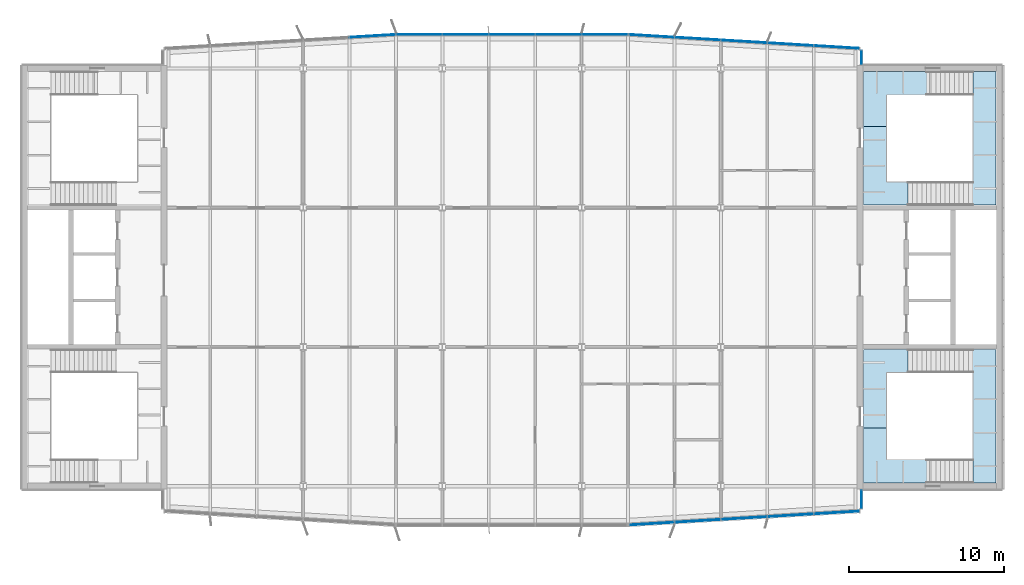
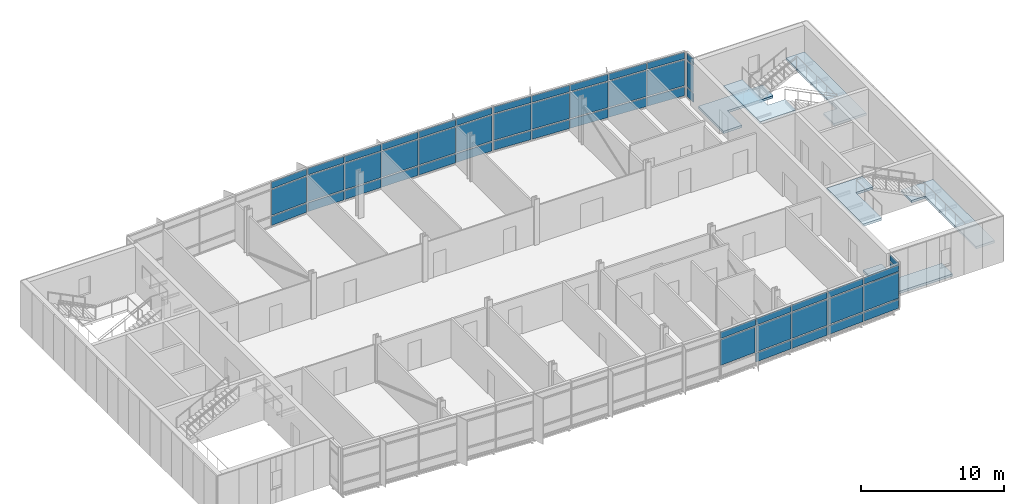
# One storey, part 10 of 17: 53 plates, 6 slabs, 8 elements without a shape of their own.
"""IFC4 building model written with IfcOpenShell, lengths in metres."""

import ifcopenshell
import ifcopenshell.guid

model = None  # the IFC model being written
_history = None  # IfcOwnerHistory: only IFC2X3 demands one
_inside = {}  # id of a spatial element -> (the spatial element, [elements in it])
_under = {}  # id of a project, library or spatial element -> (it, [spatial elements below it])
_declared = {}  # id of a project -> (the project, [libraries it declares])
_typed = {}  # id of a type object -> (the type object, [elements of that type])
_made_of = {}  # id of a material, layer set ... -> (it, [elements and type objects made of it])


def new_model(schema):
    """Start an empty IFC model of exactly this schema.

    Asked for "IFC4X3", IfcOpenShell would pick the latest addendum, in which some entities
    have other attributes; the version numbers below select the first issue.
    IFC2X3 requires an IfcOwnerHistory on every rooted entity: one is made here for all.
    """
    global model, _history
    if schema == "IFC4X3":
        model = ifcopenshell.file(schema_version=(4, 3, 0, 0))
    else:
        model = ifcopenshell.file(schema=schema)
    _inside.clear()
    _under.clear()
    _declared.clear()
    _typed.clear()
    _made_of.clear()
    _history = None
    if model.schema == "IFC2X3":
        org = make("IfcOrganization", Name="unknown")
        user = make(
            "IfcPersonAndOrganization",
            ThePerson=make("IfcPerson", FamilyName="unknown"),
            TheOrganization=org,
        )
        app = make(
            "IfcApplication",
            ApplicationDeveloper=org,
            Version="unknown",
            ApplicationFullName="unknown",
            ApplicationIdentifier="unknown",
        )
        _history = make(
            "IfcOwnerHistory",
            OwningUser=user,
            OwningApplication=app,
            ChangeAction="ADDED",
            CreationDate=0,
        )
    return model


def make(cls, **values):
    """One entity of the class cls with the attributes given. An attribute that is None is left unset."""
    return model.create_entity(
        cls, **{name: value for name, value in values.items() if value is not None}
    )


def rooted(cls, **values):
    """An entity with a GlobalId (a new one), such as an element, a storey or a relation."""
    return make(cls, GlobalId=ifcopenshell.guid.new(), OwnerHistory=_history, **values)


def si_unit(unit_type, name, prefix=None):
    """IfcSIUnit, for example si_unit("LENGTHUNIT", "METRE", prefix="MILLI")."""
    return make("IfcSIUnit", UnitType=unit_type, Prefix=prefix, Name=name)


def assignment(units):
    """IfcUnitAssignment: the units of a project."""
    return None if units is None else make("IfcUnitAssignment", Units=units)


def point(xyz):
    """IfcCartesianPoint."""
    return None if xyz is None else make("IfcCartesianPoint", Coordinates=xyz)


def direction(xyz):
    """IfcDirection."""
    return None if xyz is None else make("IfcDirection", DirectionRatios=xyz)


def frame(location, z_axis=None, x_axis=None):
    """IfcAxis2Placement3D, a coordinate frame: its origin and axes. An axis left out is left unset."""
    return make(
        "IfcAxis2Placement3D",
        Location=point(location),
        Axis=direction(z_axis),
        RefDirection=direction(x_axis),
    )


def frame_2d(location, x_axis=None):
    """IfcAxis2Placement2D, a coordinate frame in the plane: its origin and x axis."""
    return make(
        "IfcAxis2Placement2D", Location=point(location), RefDirection=direction(x_axis)
    )


def origin():
    """The frame at (0, 0, 0) with its axes left unset."""
    return frame((0.0, 0.0, 0.0))


def origin_2d():
    """The frame at (0, 0) in the plane with its x axis left unset."""
    return frame_2d((0.0, 0.0))


def place(relative_to, where):
    """IfcLocalPlacement: puts the frame where relative to a parent placement (None: the world)."""
    return make(
        "IfcLocalPlacement", PlacementRelTo=relative_to, RelativePlacement=where
    )


def context(
    kind, dimensions, precision=None, world=None, true_north=None, identifier=None
):
    """IfcGeometricRepresentationContext, for example the 3D "Model" context."""
    return make(
        "IfcGeometricRepresentationContext",
        ContextIdentifier=identifier,
        ContextType=kind,
        CoordinateSpaceDimension=dimensions,
        Precision=precision,
        WorldCoordinateSystem=world,
        TrueNorth=true_north,
    )


def subcontext(parent, identifier, kind, view, scale=None):
    """IfcGeometricRepresentationSubContext, for example "Body" below "Model"."""
    return make(
        "IfcGeometricRepresentationSubContext",
        ContextIdentifier=identifier,
        ContextType=kind,
        ParentContext=parent,
        TargetScale=scale,
        TargetView=view,
    )


def project(units=None, contexts=None):
    """IfcProject with its units and contexts."""
    return rooted(
        "IfcProject",
        Name="project",
        RepresentationContexts=contexts,
        UnitsInContext=assignment(units),
    )


def spatial(cls, under=None, at=None, **own):
    """A site, building, storey or space (cls), placed at a placement, below another one or the project."""
    s = rooted(cls, ObjectPlacement=at, **own)
    if under is not None:
        _under.setdefault(under.id(), (under, []))[1].append(s)
    return s


def polyline(points):
    """IfcPolyline through the points."""
    return make("IfcPolyline", Points=[point(p) for p in points])


def profile(cls, at=None, kind="AREA", **sizes):
    """A parametric profile (cls). Its sizes go by their IFC names, for example OverallWidth=200.0."""
    return make(cls, ProfileType=kind, Position=at, **sizes)


def rectangle(**sizes):
    """IfcRectangleProfileDef."""
    return profile("IfcRectangleProfileDef", **sizes)


def outline(outer, holes=None, kind="AREA"):
    """IfcArbitraryClosedProfileDef: a profile drawn as a closed curve; with holes, ...WithVoids."""
    if holes is None:
        return make("IfcArbitraryClosedProfileDef", ProfileType=kind, OuterCurve=outer)
    return make(
        "IfcArbitraryProfileDefWithVoids",
        ProfileType=kind,
        OuterCurve=outer,
        InnerCurves=holes,
    )


def extrude(swept, where, along, depth):
    """IfcExtrudedAreaSolid: the profile swept, set in the frame where, extruded along a direction by depth."""
    return make(
        "IfcExtrudedAreaSolid",
        SweptArea=swept,
        Position=where,
        ExtrudedDirection=direction(along),
        Depth=depth,
    )


def shape(context_of_items, identifier, shape_type, items):
    """IfcShapeRepresentation: the items that make up one representation, for example the "Body"."""
    return make(
        "IfcShapeRepresentation",
        ContextOfItems=context_of_items,
        RepresentationIdentifier=identifier,
        RepresentationType=shape_type,
        Items=items,
    )


def material(Name=None, Category=None):
    """IfcMaterial."""
    return make("IfcMaterial", Name=Name, Category=Category)


def layer(
    of_material, thickness, ventilated=None, Name=None, Category=None, Priority=None
):
    """IfcMaterialLayer: one layer of a wall or slab, of a material (None: an air gap)."""
    return make(
        "IfcMaterialLayer",
        Material=of_material,
        LayerThickness=thickness,
        IsVentilated=ventilated,
        Name=Name,
        Category=Category,
        Priority=Priority,
    )


def layer_set(layers, Name=None):
    """IfcMaterialLayerSet."""
    return make("IfcMaterialLayerSet", MaterialLayers=layers, LayerSetName=Name)


def made_of(thing, what):
    """Note that an element or type object is made of a material, layer set ...; save() writes the relation."""
    if what is not None:
        _made_of.setdefault(what.id(), (what, []))[1].append(thing)
    return thing


def type_object(cls, material=None, **own):
    """A type object (cls), such as IfcWallType, which elements share."""
    return made_of(rooted(cls, **own), material)


def element(
    cls,
    number,
    at=None,
    inside=None,
    cuts=None,
    type_object=None,
    material=None,
    context=None,
    identifier="Body",
    shape_type=None,
    held_by="IfcProductDefinitionShape",
    body=None,
    shapes=None,
    **own,
):
    """One element of the class cls, such as IfcWall. Its Tag is "e" and its number.

    at: its placement. inside: the storey or other place that contains it. cuts: it is an
    opening in that element (IfcRelVoidsElement). A single representation is given by context,
    identifier, shape_type and body (its items); several are given by shapes. held_by: the class
    of the entity that holds the representations. save() writes the other relations.
    """
    e = rooted(cls, Tag="e%d" % number, ObjectPlacement=at, **own)
    if body is not None:
        shapes = [shape(context, identifier, shape_type, body)]
    if shapes is not None:
        e.Representation = make(held_by, Representations=shapes)
    if inside is not None:
        _inside.setdefault(inside.id(), (inside, []))[1].append(e)
    if cuts is not None:
        rooted(
            "IfcRelVoidsElement", RelatingBuildingElement=cuts, RelatedOpeningElement=e
        )
    if type_object is not None:
        _typed.setdefault(type_object.id(), (type_object, []))[1].append(e)
    return made_of(e, material)


def aggregate(whole, parts):
    """IfcRelAggregates: a whole, such as a stair, and the parts it consists of."""
    return rooted("IfcRelAggregates", RelatingObject=whole, RelatedObjects=parts)


def save(model, path):
    """Write the relations noted so far, then the file.

    IfcRelAggregates (storeys below a building ...), IfcRelContainedInSpatialStructure (elements
    in a storey), IfcRelDefinesByType, IfcRelAssociatesMaterial and IfcRelDeclares: one each for
    every whole, place, type object, material and project.
    """
    for whole, parts in _under.values():
        aggregate(whole, parts)
    for where, things in _inside.values():
        rooted(
            "IfcRelContainedInSpatialStructure",
            RelatedElements=things,
            RelatingStructure=where,
        )
    for kind, things in _typed.values():
        rooted("IfcRelDefinesByType", RelatedObjects=things, RelatingType=kind)
    for what, things in _made_of.values():
        rooted("IfcRelAssociatesMaterial", RelatedObjects=things, RelatingMaterial=what)
    for by, libraries in _declared.values():
        rooted("IfcRelDeclares", RelatingContext=by, RelatedDefinitions=libraries)
    model.write(path)


model = new_model("IFC4")

# Units and contexts
model_context = context("Model", 3, precision=1e-05, world=origin(), true_north=direction((0.0, 1.0)))
body_context = subcontext(model_context, "Body", "Model", "MODEL_VIEW")
ifc_project = project(units=[si_unit("LENGTHUNIT", "METRE"), si_unit("AREAUNIT", "SQUARE_METRE"), si_unit("VOLUMEUNIT", "CUBIC_METRE"), si_unit("PLANEANGLEUNIT", "RADIAN"), si_unit("MASSUNIT", "GRAM", prefix="KILO")], contexts=[model_context])

# Site, building, storey
site_placement = place(None, origin())
site = spatial("IfcSite", under=ifc_project, at=site_placement, CompositionType="ELEMENT")
building_placement = place(site_placement, origin())
building = spatial("IfcBuilding", under=site, at=building_placement, Name="Azimuth Sports and Learning Centre", CompositionType="ELEMENT")
storey_placement = place(building_placement, frame((0.0, 0.0, 36.300048828125)))
storey = spatial("IfcBuildingStorey", under=building, at=storey_placement, Name="L07", CompositionType="ELEMENT", Elevation=36.300048828125)

# Stair, slabs
ifc_material_1 = material(Name="Concrete C32/40", Category="concrete")
stair_type = type_object("IfcStairType", Name="Square-well stair core 3900 storey", PredefinedType="THREE_QUARTER_TURN_STAIR", material=ifc_material_1)
stair_1_placement = place(storey_placement, origin())
stair_1 = element("IfcStair", 1, at=stair_1_placement, inside=storey, type_object=stair_type, Name="Stair E1 L07-L08", PredefinedType="THREE_QUARTER_TURN_STAIR")
ifc_material_2 = material(Name="Concrete C32/40", Category="concrete")
ifc_layer_1 = layer(ifc_material_2, 0.199951171875)
ifc_layer_set_1 = layer_set([ifc_layer_1], Name="Concrete C32/40")
slab_type = type_object("IfcSlabType", Name="Concrete stair landing", PredefinedType="LANDING", material=ifc_layer_set_1)
slab_1_placement = place(storey_placement, frame((0.0, 0.0, -0.199951171875)))
slab_1 = element("IfcSlab", 2, at=slab_1_placement, type_object=slab_type, Name="Stair E1 L07 landing 1", PredefinedType="LANDING", context=body_context, shape_type="SweptSolid", body=[
    extrude(outline(polyline([(113.389892578125, 91.7099609375), (109.7099609375, 91.7099609375), (109.7099609375, 93.75), (108.2099609375, 93.75), (108.2099609375, 90.2099609375), (113.389892578125, 90.2099609375), (113.389892578125, 91.7099609375)])), origin(), (0.0, 0.0, 1.0), 0.199951171875),
])
slab_2_placement = place(storey_placement, frame((0.0, 0.0, 1.449951171875)))
slab_2 = element("IfcSlab", 3, at=slab_2_placement, type_object=slab_type, Name="Stair E1 L07 landing 2", PredefinedType="LANDING", context=body_context, shape_type="SweptSolid", body=[
    extrude(outline(polyline([(115.2900390625, 91.7099609375), (115.289306640625, 91.7099609375), (115.289306640625, 90.2099609375), (116.7900390625, 90.2099609375), (116.7900390625, 98.840087890625), (114.18994140625, 98.840087890625), (114.18994140625, 97.340087890625), (115.2900390625, 97.340087890625), (115.2900390625, 91.7099609375)])), origin(), (0.0, 0.0, 1.0), 0.199951171875),
])
slab_3_placement = place(storey_placement, frame((0.0, 0.0, 3.699951171875)))
slab_3 = element("IfcSlab", 4, at=slab_3_placement, type_object=slab_type, Name="Stair E1 L07 landing 3", PredefinedType="LANDING", context=body_context, shape_type="SweptSolid", body=[
    extrude(outline(polyline([(109.7099609375, 97.340087890625), (111.0908203125, 97.340087890625), (111.0908203125, 98.840087890625), (108.2099609375, 98.840087890625), (108.2099609375, 93.75), (109.7099609375, 93.75), (109.7099609375, 97.340087890625)])), origin(), (0.0, 0.0, 1.0), 0.199951171875),
])
aggregate(stair_1, [slab_1, slab_2, slab_3])

stair_2_placement = place(storey_placement, origin())
stair_2 = element("IfcStair", 5, at=stair_2_placement, inside=storey, type_object=stair_type, Name="Stair E2 L07-L08", PredefinedType="THREE_QUARTER_TURN_STAIR")
slab_4_placement = place(storey_placement, frame((0.0, 0.0, -0.199951171875)))
slab_4 = element("IfcSlab", 6, at=slab_4_placement, type_object=slab_type, Name="Stair E2 L07 landing 1", PredefinedType="LANDING", context=body_context, shape_type="SweptSolid", body=[
    extrude(outline(polyline([(108.2099609375, 116.7900390625), (108.2099609375, 113.25), (109.7099609375, 113.25), (109.7099609375, 115.2900390625), (113.389892578125, 115.2900390625), (113.389892578125, 116.7900390625), (108.2099609375, 116.7900390625)])), origin(), (0.0, 0.0, 1.0), 0.199951171875),
])
slab_5_placement = place(storey_placement, frame((0.0, 0.0, 1.449951171875)))
slab_5 = element("IfcSlab", 7, at=slab_5_placement, type_object=slab_type, Name="Stair E2 L07 landing 2", PredefinedType="LANDING", context=body_context, shape_type="SweptSolid", body=[
    extrude(outline(polyline([(115.2900390625, 115.2900390625), (115.2900390625, 109.659912109375), (114.18994140625, 109.659912109375), (114.18994140625, 108.159912109375), (116.7900390625, 108.159912109375), (116.7900390625, 116.7900390625), (115.289306640625, 116.7900390625), (115.289306640625, 115.2900390625), (115.2900390625, 115.2900390625)])), origin(), (0.0, 0.0, 1.0), 0.199951171875),
])
slab_6_placement = place(storey_placement, frame((0.0, 0.0, 3.699951171875)))
slab_6 = element("IfcSlab", 8, at=slab_6_placement, type_object=slab_type, Name="Stair E2 L07 landing 3", PredefinedType="LANDING", context=body_context, shape_type="SweptSolid", body=[
    extrude(outline(polyline([(109.7099609375, 109.659912109375), (109.7099609375, 113.25), (108.2099609375, 113.25), (108.2099609375, 108.159912109375), (111.0908203125, 108.159912109375), (111.0908203125, 109.659912109375), (109.7099609375, 109.659912109375)])), origin(), (0.0, 0.0, 1.0), 0.199951171875),
])
aggregate(stair_2, [slab_4, slab_5, slab_6])

# Curtain wall, plates
ifc_material_3 = material(Name="Aluminium and glass", Category="aluminium")
curtain_wall_type_1 = type_object("IfcCurtainWallType", Name="Curtain wall tower south 240", PredefinedType="NOTDEFINED", material=ifc_material_3)
curtain_wall_1_placement = place(storey_placement, origin())
curtain_wall_1 = element("IfcCurtainWall", 9, at=curtain_wall_1_placement, inside=storey, type_object=curtain_wall_type_1, Name="Curtain wall CW07-004", PredefinedType="NOTDEFINED")
ifc_material_4 = material(Name="Insulated aluminium panel", Category="aluminium")
ifc_layer_2 = layer(ifc_material_4, 0.050048828125)
ifc_layer_set_2 = layer_set([ifc_layer_2], Name="Insulated aluminium panel")
plate_type_1 = type_object("IfcPlateType", Name="Spandrel panel 50 mm", PredefinedType="CURTAIN_PANEL", material=ifc_layer_set_2)
plate_1_placement = place(storey_placement, frame((94.52099609375, 87.571044921875, 3.25), z_axis=(0.0, 0.0, 1.0), x_axis=(0.998204863401, 0.059891991812, 0.0)))
plate_1 = element("IfcPlate", 10, at=plate_1_placement, type_object=plate_type_1, Name="CW07-004 panel 1.3", PredefinedType="CURTAIN_PANEL", context=body_context, shape_type="SweptSolid", body=[
    extrude(rectangle(XDim=2.90771484375, YDim=0.050048828125, at=origin_2d()), origin(), (0.0, 0.0, 1.0), 0.550048828125),
])
plate_2_placement = place(storey_placement, frame((97.507080078125, 87.750244140625, 0.099853515625), z_axis=(0.0, 0.0, 1.0), x_axis=(0.998204863401, 0.059891991812, 0.0)))
plate_2 = element("IfcPlate", 11, at=plate_2_placement, type_object=plate_type_1, Name="CW07-004 panel 2.1", PredefinedType="CURTAIN_PANEL", context=body_context, shape_type="SweptSolid", body=[
    extrude(rectangle(XDim=2.935302734375, YDim=0.050048828125, at=origin_2d()), origin(), (0.0, 0.0, 1.0), 0.75),
])
plate_3_placement = place(storey_placement, frame((97.507080078125, 87.750244140625, 3.25), z_axis=(0.0, 0.0, 1.0), x_axis=(0.998204863401, 0.059891991812, 0.0)))
plate_3 = element("IfcPlate", 12, at=plate_3_placement, type_object=plate_type_1, Name="CW07-004 panel 2.3", PredefinedType="CURTAIN_PANEL", context=body_context, shape_type="SweptSolid", body=[
    extrude(rectangle(XDim=2.935302734375, YDim=0.050048828125, at=origin_2d()), origin(), (0.0, 0.0, 1.0), 0.550048828125),
])
plate_4_placement = place(storey_placement, frame((100.507080078125, 87.93017578125, 0.099853515625), z_axis=(0.0, 0.0, 1.0), x_axis=(0.998204863401, 0.059891991812, 0.0)))
plate_4 = element("IfcPlate", 13, at=plate_4_placement, type_object=plate_type_1, Name="CW07-004 panel 3.1", PredefinedType="CURTAIN_PANEL", context=body_context, shape_type="SweptSolid", body=[
    extrude(rectangle(XDim=2.935302734375, YDim=0.050048828125, at=origin_2d()), origin(), (0.0, 0.0, 1.0), 0.75),
])
plate_5_placement = place(storey_placement, frame((100.507080078125, 87.93017578125, 3.25), z_axis=(0.0, 0.0, 1.0), x_axis=(0.998204863401, 0.059891991812, 0.0)))
plate_5 = element("IfcPlate", 14, at=plate_5_placement, type_object=plate_type_1, Name="CW07-004 panel 3.3", PredefinedType="CURTAIN_PANEL", context=body_context, shape_type="SweptSolid", body=[
    extrude(rectangle(XDim=2.935302734375, YDim=0.050048828125, at=origin_2d()), origin(), (0.0, 0.0, 1.0), 0.550048828125),
])
plate_6_placement = place(storey_placement, frame((103.507080078125, 88.110107421875, 0.099853515625), z_axis=(0.0, 0.0, 1.0), x_axis=(0.998204863401, 0.059891991812, 0.0)))
plate_6 = element("IfcPlate", 15, at=plate_6_placement, type_object=plate_type_1, Name="CW07-004 panel 4.1", PredefinedType="CURTAIN_PANEL", context=body_context, shape_type="SweptSolid", body=[
    extrude(rectangle(XDim=2.935302734375, YDim=0.050048828125, at=origin_2d()), origin(), (0.0, 0.0, 1.0), 0.75),
])
plate_7_placement = place(storey_placement, frame((103.507080078125, 88.110107421875, 3.25), z_axis=(0.0, 0.0, 1.0), x_axis=(0.998204863401, 0.059891991812, 0.0)))
plate_7 = element("IfcPlate", 16, at=plate_7_placement, type_object=plate_type_1, Name="CW07-004 panel 4.3", PredefinedType="CURTAIN_PANEL", context=body_context, shape_type="SweptSolid", body=[
    extrude(rectangle(XDim=2.935302734375, YDim=0.050048828125, at=origin_2d()), origin(), (0.0, 0.0, 1.0), 0.550048828125),
])
plate_8_placement = place(storey_placement, frame((106.48974609375, 88.2890625, 0.099853515625), z_axis=(0.0, 0.0, 1.0), x_axis=(0.998204863401, 0.059891991812, 0.0)))
plate_8 = element("IfcPlate", 17, at=plate_8_placement, type_object=plate_type_1, Name="CW07-004 panel 5.1", PredefinedType="CURTAIN_PANEL", context=body_context, shape_type="SweptSolid", body=[
    extrude(rectangle(XDim=2.900390625, YDim=0.050048828125, at=origin_2d()), origin(), (0.0, 0.0, 1.0), 0.75),
])
plate_9_placement = place(storey_placement, frame((106.48974609375, 88.2890625, 3.25), z_axis=(0.0, 0.0, 1.0), x_axis=(0.998204863401, 0.059891991812, 0.0)))
plate_9 = element("IfcPlate", 18, at=plate_9_placement, type_object=plate_type_1, Name="CW07-004 panel 5.3", PredefinedType="CURTAIN_PANEL", context=body_context, shape_type="SweptSolid", body=[
    extrude(rectangle(XDim=2.900390625, YDim=0.050048828125, at=origin_2d()), origin(), (0.0, 0.0, 1.0), 0.550048828125),
])

ifc_material_5 = material(Name="Aluminium and glass", Category="aluminium")
curtain_wall_type_2 = type_object("IfcCurtainWallType", Name="Curtain wall tower return 180", PredefinedType="NOTDEFINED", material=ifc_material_5)
curtain_wall_2_placement = place(storey_placement, origin())
curtain_wall_2 = element("IfcCurtainWall", 19, at=curtain_wall_2_placement, inside=storey, type_object=curtain_wall_type_2, Name="Curtain wall CW07-005", PredefinedType="NOTDEFINED")
plate_10_placement = place(storey_placement, frame((108.090087890625, 89.14990234375, 0.099853515625), z_axis=(0.0, 0.0, 1.0), x_axis=(0.0, 1.0, 0.0)))
plate_10 = element("IfcPlate", 20, at=plate_10_placement, type_object=plate_type_1, Name="CW07-005 panel 1.1", PredefinedType="CURTAIN_PANEL", context=body_context, shape_type="SweptSolid", body=[
    extrude(rectangle(XDim=1.179931640625, YDim=0.050048828125, at=origin_2d()), origin(), (0.0, 0.0, 1.0), 0.75),
])
plate_11_placement = place(storey_placement, frame((108.090087890625, 89.14990234375, 3.25), z_axis=(0.0, 0.0, 1.0), x_axis=(0.0, 1.0, 0.0)))
plate_11 = element("IfcPlate", 21, at=plate_11_placement, type_object=plate_type_1, Name="CW07-005 panel 1.3", PredefinedType="CURTAIN_PANEL", context=body_context, shape_type="SweptSolid", body=[
    extrude(rectangle(XDim=1.179931640625, YDim=0.050048828125, at=origin_2d()), origin(), (0.0, 0.0, 1.0), 0.550048828125),
])

curtain_wall_3_placement = place(storey_placement, origin())
curtain_wall_3 = element("IfcCurtainWall", 22, at=curtain_wall_3_placement, inside=storey, type_object=curtain_wall_type_2, Name="Curtain wall CW07-006", PredefinedType="NOTDEFINED")
plate_12_placement = place(storey_placement, frame((108.090087890625, 117.699951171875, 0.099853515625), z_axis=(0.0, 0.0, 1.0), x_axis=(0.0, 1.0, 0.0)))
plate_12 = element("IfcPlate", 23, at=plate_12_placement, type_object=plate_type_1, Name="CW07-006 panel 1.1", PredefinedType="CURTAIN_PANEL", context=body_context, shape_type="SweptSolid", body=[
    extrude(rectangle(XDim=0.8798828125, YDim=0.050048828125, at=origin_2d()), origin(), (0.0, 0.0, 1.0), 0.75),
])
plate_13_placement = place(storey_placement, frame((108.090087890625, 117.699951171875, 3.25), z_axis=(0.0, 0.0, 1.0), x_axis=(0.0, 1.0, 0.0)))
plate_13 = element("IfcPlate", 24, at=plate_13_placement, type_object=plate_type_1, Name="CW07-006 panel 1.3", PredefinedType="CURTAIN_PANEL", context=body_context, shape_type="SweptSolid", body=[
    extrude(rectangle(XDim=0.8798828125, YDim=0.050048828125, at=origin_2d()), origin(), (0.0, 0.0, 1.0), 0.550048828125),
])

ifc_material_6 = material(Name="Aluminium and glass", Category="aluminium")
curtain_wall_type_3 = type_object("IfcCurtainWallType", Name="Curtain wall tower north 180", PredefinedType="NOTDEFINED", material=ifc_material_6)
curtain_wall_4_placement = place(storey_placement, origin())
curtain_wall_4 = element("IfcCurtainWall", 25, at=curtain_wall_4_placement, inside=storey, type_object=curtain_wall_type_3, Name="Curtain wall CW07-007", PredefinedType="NOTDEFINED")
plate_14_placement = place(storey_placement, frame((106.490478515625, 118.380615234375, 0.099853515625), z_axis=(0.0, 0.0, 1.0), x_axis=(-0.998204863401, 0.059891991812, 0.0)))
plate_14 = element("IfcPlate", 26, at=plate_14_placement, type_object=plate_type_1, Name="CW07-007 panel 1.1", PredefinedType="CURTAIN_PANEL", context=body_context, shape_type="SweptSolid", body=[
    extrude(rectangle(XDim=2.915283203125, YDim=0.050048828125, at=origin_2d()), origin(), (0.0, 0.0, 1.0), 0.75),
])
plate_15_placement = place(storey_placement, frame((106.490478515625, 118.380615234375, 3.25), z_axis=(0.0, 0.0, 1.0), x_axis=(-0.998204863401, 0.059891991812, 0.0)))
plate_15 = element("IfcPlate", 27, at=plate_15_placement, type_object=plate_type_1, Name="CW07-007 panel 1.3", PredefinedType="CURTAIN_PANEL", context=body_context, shape_type="SweptSolid", body=[
    extrude(rectangle(XDim=2.915283203125, YDim=0.050048828125, at=origin_2d()), origin(), (0.0, 0.0, 1.0), 0.550048828125),
])
plate_16_placement = place(storey_placement, frame((103.50537109375, 118.559814453125, 0.099853515625), z_axis=(0.0, 0.0, 1.0), x_axis=(-0.998204863401, 0.059891991812, 0.0)))
plate_16 = element("IfcPlate", 28, at=plate_16_placement, type_object=plate_type_1, Name="CW07-007 panel 2.1", PredefinedType="CURTAIN_PANEL", context=body_context, shape_type="SweptSolid", body=[
    extrude(rectangle(XDim=2.9453125, YDim=0.050048828125, at=origin_2d()), origin(), (0.0, 0.0, 1.0), 0.75),
])
plate_17_placement = place(storey_placement, frame((103.50537109375, 118.559814453125, 3.25), z_axis=(0.0, 0.0, 1.0), x_axis=(-0.998204863401, 0.059891991812, 0.0)))
plate_17 = element("IfcPlate", 29, at=plate_17_placement, type_object=plate_type_1, Name="CW07-007 panel 2.3", PredefinedType="CURTAIN_PANEL", context=body_context, shape_type="SweptSolid", body=[
    extrude(rectangle(XDim=2.9453125, YDim=0.050048828125, at=origin_2d()), origin(), (0.0, 0.0, 1.0), 0.550048828125),
])
plate_18_placement = place(storey_placement, frame((100.50537109375, 118.73974609375, 0.099853515625), z_axis=(0.0, 0.0, 1.0), x_axis=(-0.998204863401, 0.059891991812, 0.0)))
plate_18 = element("IfcPlate", 30, at=plate_18_placement, type_object=plate_type_1, Name="CW07-007 panel 3.1", PredefinedType="CURTAIN_PANEL", context=body_context, shape_type="SweptSolid", body=[
    extrude(rectangle(XDim=2.9453125, YDim=0.050048828125, at=origin_2d()), origin(), (0.0, 0.0, 1.0), 0.75),
])
plate_19_placement = place(storey_placement, frame((100.50537109375, 118.73974609375, 3.25), z_axis=(0.0, 0.0, 1.0), x_axis=(-0.998204863401, 0.059891991812, 0.0)))
plate_19 = element("IfcPlate", 31, at=plate_19_placement, type_object=plate_type_1, Name="CW07-007 panel 3.3", PredefinedType="CURTAIN_PANEL", context=body_context, shape_type="SweptSolid", body=[
    extrude(rectangle(XDim=2.9453125, YDim=0.050048828125, at=origin_2d()), origin(), (0.0, 0.0, 1.0), 0.550048828125),
])
plate_20_placement = place(storey_placement, frame((97.50537109375, 118.919921875, 0.099853515625), z_axis=(0.0, 0.0, 1.0), x_axis=(-0.998204863401, 0.059891991812, 0.0)))
plate_20 = element("IfcPlate", 32, at=plate_20_placement, type_object=plate_type_1, Name="CW07-007 panel 4.1", PredefinedType="CURTAIN_PANEL", context=body_context, shape_type="SweptSolid", body=[
    extrude(rectangle(XDim=2.9453125, YDim=0.050048828125, at=origin_2d()), origin(), (0.0, 0.0, 1.0), 0.75),
])
plate_21_placement = place(storey_placement, frame((97.50537109375, 118.919921875, 3.25), z_axis=(0.0, 0.0, 1.0), x_axis=(-0.998204863401, 0.059891991812, 0.0)))
plate_21 = element("IfcPlate", 33, at=plate_21_placement, type_object=plate_type_1, Name="CW07-007 panel 4.3", PredefinedType="CURTAIN_PANEL", context=body_context, shape_type="SweptSolid", body=[
    extrude(rectangle(XDim=2.9453125, YDim=0.050048828125, at=origin_2d()), origin(), (0.0, 0.0, 1.0), 0.550048828125),
])
plate_22_placement = place(storey_placement, frame((94.520263671875, 119.098876953125, 0.099853515625), z_axis=(0.0, 0.0, 1.0), x_axis=(-0.998204863401, 0.059891991812, 0.0)))
plate_22 = element("IfcPlate", 34, at=plate_22_placement, type_object=plate_type_1, Name="CW07-007 panel 5.1", PredefinedType="CURTAIN_PANEL", context=body_context, shape_type="SweptSolid", body=[
    extrude(rectangle(XDim=2.915283203125, YDim=0.050048828125, at=origin_2d()), origin(), (0.0, 0.0, 1.0), 0.75),
])
plate_23_placement = place(storey_placement, frame((94.520263671875, 119.098876953125, 3.25), z_axis=(0.0, 0.0, 1.0), x_axis=(-0.998204863401, 0.059891991812, 0.0)))
plate_23 = element("IfcPlate", 35, at=plate_23_placement, type_object=plate_type_1, Name="CW07-007 panel 5.3", PredefinedType="CURTAIN_PANEL", context=body_context, shape_type="SweptSolid", body=[
    extrude(rectangle(XDim=2.915283203125, YDim=0.050048828125, at=origin_2d()), origin(), (0.0, 0.0, 1.0), 0.550048828125),
])

curtain_wall_5_placement = place(storey_placement, origin())
curtain_wall_5 = element("IfcCurtainWall", 36, at=curtain_wall_5_placement, inside=storey, type_object=curtain_wall_type_3, Name="Curtain wall CW07-008", PredefinedType="NOTDEFINED")
plate_24_placement = place(storey_placement, frame((91.48779296875, 119.18994140625, 0.099853515625), z_axis=(0.0, 0.0, 1.0), x_axis=(-1.0, 0.0, 0.0)))
plate_24 = element("IfcPlate", 37, at=plate_24_placement, type_object=plate_type_1, Name="CW07-008 panel 1.1", PredefinedType="CURTAIN_PANEL", context=body_context, shape_type="SweptSolid", body=[
    extrude(rectangle(XDim=2.915283203125, YDim=0.050048828125, at=origin_2d()), origin(), (0.0, 0.0, 1.0), 0.75),
])
plate_25_placement = place(storey_placement, frame((91.48779296875, 119.18994140625, 3.25), z_axis=(0.0, 0.0, 1.0), x_axis=(-1.0, 0.0, 0.0)))
plate_25 = element("IfcPlate", 38, at=plate_25_placement, type_object=plate_type_1, Name="CW07-008 panel 1.3", PredefinedType="CURTAIN_PANEL", context=body_context, shape_type="SweptSolid", body=[
    extrude(rectangle(XDim=2.915283203125, YDim=0.050048828125, at=origin_2d()), origin(), (0.0, 0.0, 1.0), 0.550048828125),
])
plate_26_placement = place(storey_placement, frame((88.5, 119.18994140625, 0.099853515625), z_axis=(0.0, 0.0, 1.0), x_axis=(-1.0, 0.0, 0.0)))
plate_26 = element("IfcPlate", 39, at=plate_26_placement, type_object=plate_type_1, Name="CW07-008 panel 2.1", PredefinedType="CURTAIN_PANEL", context=body_context, shape_type="SweptSolid", body=[
    extrude(rectangle(XDim=2.93994140625, YDim=0.050048828125, at=origin_2d()), origin(), (0.0, 0.0, 1.0), 0.75),
])
plate_27_placement = place(storey_placement, frame((88.5, 119.18994140625, 3.25), z_axis=(0.0, 0.0, 1.0), x_axis=(-1.0, 0.0, 0.0)))
plate_27 = element("IfcPlate", 40, at=plate_27_placement, type_object=plate_type_1, Name="CW07-008 panel 2.3", PredefinedType="CURTAIN_PANEL", context=body_context, shape_type="SweptSolid", body=[
    extrude(rectangle(XDim=2.93994140625, YDim=0.050048828125, at=origin_2d()), origin(), (0.0, 0.0, 1.0), 0.550048828125),
])
plate_28_placement = place(storey_placement, frame((85.5, 119.18994140625, 0.099853515625), z_axis=(0.0, 0.0, 1.0), x_axis=(-1.0, 0.0, 0.0)))
plate_28 = element("IfcPlate", 41, at=plate_28_placement, type_object=plate_type_1, Name="CW07-008 panel 3.1", PredefinedType="CURTAIN_PANEL", context=body_context, shape_type="SweptSolid", body=[
    extrude(rectangle(XDim=2.93994140625, YDim=0.050048828125, at=origin_2d()), origin(), (0.0, 0.0, 1.0), 0.75),
])
plate_29_placement = place(storey_placement, frame((85.5, 119.18994140625, 3.25), z_axis=(0.0, 0.0, 1.0), x_axis=(-1.0, 0.0, 0.0)))
plate_29 = element("IfcPlate", 42, at=plate_29_placement, type_object=plate_type_1, Name="CW07-008 panel 3.3", PredefinedType="CURTAIN_PANEL", context=body_context, shape_type="SweptSolid", body=[
    extrude(rectangle(XDim=2.93994140625, YDim=0.050048828125, at=origin_2d()), origin(), (0.0, 0.0, 1.0), 0.550048828125),
])
plate_30_placement = place(storey_placement, frame((82.5, 119.18994140625, 0.099853515625), z_axis=(0.0, 0.0, 1.0), x_axis=(-1.0, 0.0, 0.0)))
plate_30 = element("IfcPlate", 43, at=plate_30_placement, type_object=plate_type_1, Name="CW07-008 panel 4.1", PredefinedType="CURTAIN_PANEL", context=body_context, shape_type="SweptSolid", body=[
    extrude(rectangle(XDim=2.93994140625, YDim=0.050048828125, at=origin_2d()), origin(), (0.0, 0.0, 1.0), 0.75),
])
plate_31_placement = place(storey_placement, frame((82.5, 119.18994140625, 3.25), z_axis=(0.0, 0.0, 1.0), x_axis=(-1.0, 0.0, 0.0)))
plate_31 = element("IfcPlate", 44, at=plate_31_placement, type_object=plate_type_1, Name="CW07-008 panel 4.3", PredefinedType="CURTAIN_PANEL", context=body_context, shape_type="SweptSolid", body=[
    extrude(rectangle(XDim=2.93994140625, YDim=0.050048828125, at=origin_2d()), origin(), (0.0, 0.0, 1.0), 0.550048828125),
])
plate_32_placement = place(storey_placement, frame((79.514892578125, 119.18994140625, 0.099853515625), z_axis=(0.0, 0.0, 1.0), x_axis=(-1.0, 0.0, 0.0)))
plate_32 = element("IfcPlate", 45, at=plate_32_placement, type_object=plate_type_1, Name="CW07-008 panel 5.1", PredefinedType="CURTAIN_PANEL", context=body_context, shape_type="SweptSolid", body=[
    extrude(rectangle(XDim=2.909912109375, YDim=0.050048828125, at=origin_2d()), origin(), (0.0, 0.0, 1.0), 0.75),
])
plate_33_placement = place(storey_placement, frame((79.514892578125, 119.18994140625, 3.25), z_axis=(0.0, 0.0, 1.0), x_axis=(-1.0, 0.0, 0.0)))
plate_33 = element("IfcPlate", 46, at=plate_33_placement, type_object=plate_type_1, Name="CW07-008 panel 5.3", PredefinedType="CURTAIN_PANEL", context=body_context, shape_type="SweptSolid", body=[
    extrude(rectangle(XDim=2.909912109375, YDim=0.050048828125, at=origin_2d()), origin(), (0.0, 0.0, 1.0), 0.550048828125),
])

curtain_wall_6_placement = place(storey_placement, origin())
curtain_wall_6 = element("IfcCurtainWall", 47, at=curtain_wall_6_placement, inside=storey, type_object=curtain_wall_type_3, Name="Curtain wall CW07-009", PredefinedType="NOTDEFINED")
plate_34_placement = place(storey_placement, frame((76.482421875, 119.09912109375, 0.099853515625), z_axis=(0.0, 0.0, 1.0), x_axis=(-0.998204863401, -0.059891991812, 0.0)))
plate_34 = element("IfcPlate", 48, at=plate_34_placement, type_object=plate_type_1, Name="CW07-009 panel 1.1", PredefinedType="CURTAIN_PANEL", context=body_context, shape_type="SweptSolid", body=[
    extrude(rectangle(XDim=2.9208984375, YDim=0.050048828125, at=origin_2d()), origin(), (0.0, 0.0, 1.0), 0.75),
])
plate_35_placement = place(storey_placement, frame((76.482421875, 119.09912109375, 3.25), z_axis=(0.0, 0.0, 1.0), x_axis=(-0.998204863401, -0.059891991812, 0.0)))
plate_35 = element("IfcPlate", 49, at=plate_35_placement, type_object=plate_type_1, Name="CW07-009 panel 1.3", PredefinedType="CURTAIN_PANEL", context=body_context, shape_type="SweptSolid", body=[
    extrude(rectangle(XDim=2.9208984375, YDim=0.050048828125, at=origin_2d()), origin(), (0.0, 0.0, 1.0), 0.550048828125),
])

# Plate
ifc_material_7 = material(Name="Glass", Category="glass")
ifc_layer_3 = layer(ifc_material_7, 0.031982421875)
ifc_layer_set_3 = layer_set([ifc_layer_3], Name="Glass")
plate_type_2 = type_object("IfcPlateType", Name="Vision glass 32 mm", PredefinedType="CURTAIN_PANEL", material=ifc_layer_set_3)
plate_36_placement = place(storey_placement, frame((94.52099609375, 87.571044921875, 0.9501953125), z_axis=(0.0, 0.0, 1.0), x_axis=(0.998204863401, 0.059891991812, 0.0)))
plate_36 = element("IfcPlate", 50, at=plate_36_placement, type_object=plate_type_2, Name="CW07-004 panel 1.2", PredefinedType="CURTAIN_PANEL", context=body_context, shape_type="SweptSolid", body=[
    extrude(rectangle(XDim=2.90771484375, YDim=0.031982421875, at=origin_2d()), origin(), (0.0, 0.0, 1.0), 2.199951171875),
])

plate_37_placement = place(storey_placement, frame((97.507080078125, 87.750244140625, 0.9501953125), z_axis=(0.0, 0.0, 1.0), x_axis=(0.998204863401, 0.059891991812, 0.0)))
plate_37 = element("IfcPlate", 51, at=plate_37_placement, type_object=plate_type_2, Name="CW07-004 panel 2.2", PredefinedType="CURTAIN_PANEL", context=body_context, shape_type="SweptSolid", body=[
    extrude(rectangle(XDim=2.935302734375, YDim=0.031982421875, at=origin_2d()), origin(), (0.0, 0.0, 1.0), 2.199951171875),
])

plate_38_placement = place(storey_placement, frame((100.507080078125, 87.93017578125, 0.9501953125), z_axis=(0.0, 0.0, 1.0), x_axis=(0.998204863401, 0.059891991812, 0.0)))
plate_38 = element("IfcPlate", 52, at=plate_38_placement, type_object=plate_type_2, Name="CW07-004 panel 3.2", PredefinedType="CURTAIN_PANEL", context=body_context, shape_type="SweptSolid", body=[
    extrude(rectangle(XDim=2.935302734375, YDim=0.031982421875, at=origin_2d()), origin(), (0.0, 0.0, 1.0), 2.199951171875),
])

plate_39_placement = place(storey_placement, frame((103.507080078125, 88.110107421875, 0.9501953125), z_axis=(0.0, 0.0, 1.0), x_axis=(0.998204863401, 0.059891991812, 0.0)))
plate_39 = element("IfcPlate", 53, at=plate_39_placement, type_object=plate_type_2, Name="CW07-004 panel 4.2", PredefinedType="CURTAIN_PANEL", context=body_context, shape_type="SweptSolid", body=[
    extrude(rectangle(XDim=2.935302734375, YDim=0.031982421875, at=origin_2d()), origin(), (0.0, 0.0, 1.0), 2.199951171875),
])

plate_40_placement = place(storey_placement, frame((106.48974609375, 88.2890625, 0.9501953125), z_axis=(0.0, 0.0, 1.0), x_axis=(0.998204863401, 0.059891991812, 0.0)))
plate_40 = element("IfcPlate", 54, at=plate_40_placement, type_object=plate_type_2, Name="CW07-004 panel 5.2", PredefinedType="CURTAIN_PANEL", context=body_context, shape_type="SweptSolid", body=[
    extrude(rectangle(XDim=2.900390625, YDim=0.031982421875, at=origin_2d()), origin(), (0.0, 0.0, 1.0), 2.199951171875),
])

aggregate(curtain_wall_1, [plate_36, plate_1, plate_2, plate_37, plate_3, plate_4, plate_38, plate_5, plate_6, plate_39, plate_7, plate_8, plate_40, plate_9])

plate_41_placement = place(storey_placement, frame((108.090087890625, 89.14990234375, 0.9501953125), z_axis=(0.0, 0.0, 1.0), x_axis=(0.0, 1.0, 0.0)))
plate_41 = element("IfcPlate", 55, at=plate_41_placement, type_object=plate_type_2, Name="CW07-005 panel 1.2", PredefinedType="CURTAIN_PANEL", context=body_context, shape_type="SweptSolid", body=[
    extrude(rectangle(XDim=1.179931640625, YDim=0.031982421875, at=origin_2d()), origin(), (0.0, 0.0, 1.0), 2.199951171875),
])

aggregate(curtain_wall_2, [plate_10, plate_41, plate_11])

plate_42_placement = place(storey_placement, frame((108.090087890625, 117.699951171875, 0.9501953125), z_axis=(0.0, 0.0, 1.0), x_axis=(0.0, 1.0, 0.0)))
plate_42 = element("IfcPlate", 56, at=plate_42_placement, type_object=plate_type_2, Name="CW07-006 panel 1.2", PredefinedType="CURTAIN_PANEL", context=body_context, shape_type="SweptSolid", body=[
    extrude(rectangle(XDim=0.8798828125, YDim=0.031982421875, at=origin_2d()), origin(), (0.0, 0.0, 1.0), 2.199951171875),
])

aggregate(curtain_wall_3, [plate_12, plate_42, plate_13])

plate_43_placement = place(storey_placement, frame((106.490478515625, 118.380615234375, 0.9501953125), z_axis=(0.0, 0.0, 1.0), x_axis=(-0.998204863401, 0.059891991812, 0.0)))
plate_43 = element("IfcPlate", 57, at=plate_43_placement, type_object=plate_type_2, Name="CW07-007 panel 1.2", PredefinedType="CURTAIN_PANEL", context=body_context, shape_type="SweptSolid", body=[
    extrude(rectangle(XDim=2.915283203125, YDim=0.031982421875, at=origin_2d()), origin(), (0.0, 0.0, 1.0), 2.199951171875),
])

plate_44_placement = place(storey_placement, frame((103.50537109375, 118.559814453125, 0.9501953125), z_axis=(0.0, 0.0, 1.0), x_axis=(-0.998204863401, 0.059891991812, 0.0)))
plate_44 = element("IfcPlate", 58, at=plate_44_placement, type_object=plate_type_2, Name="CW07-007 panel 2.2", PredefinedType="CURTAIN_PANEL", context=body_context, shape_type="SweptSolid", body=[
    extrude(rectangle(XDim=2.9453125, YDim=0.031982421875, at=origin_2d()), origin(), (0.0, 0.0, 1.0), 2.199951171875),
])

plate_45_placement = place(storey_placement, frame((100.50537109375, 118.73974609375, 0.9501953125), z_axis=(0.0, 0.0, 1.0), x_axis=(-0.998204863401, 0.059891991812, 0.0)))
plate_45 = element("IfcPlate", 59, at=plate_45_placement, type_object=plate_type_2, Name="CW07-007 panel 3.2", PredefinedType="CURTAIN_PANEL", context=body_context, shape_type="SweptSolid", body=[
    extrude(rectangle(XDim=2.9453125, YDim=0.031982421875, at=origin_2d()), origin(), (0.0, 0.0, 1.0), 2.199951171875),
])

plate_46_placement = place(storey_placement, frame((97.50537109375, 118.919921875, 0.9501953125), z_axis=(0.0, 0.0, 1.0), x_axis=(-0.998204863401, 0.059891991812, 0.0)))
plate_46 = element("IfcPlate", 60, at=plate_46_placement, type_object=plate_type_2, Name="CW07-007 panel 4.2", PredefinedType="CURTAIN_PANEL", context=body_context, shape_type="SweptSolid", body=[
    extrude(rectangle(XDim=2.9453125, YDim=0.031982421875, at=origin_2d()), origin(), (0.0, 0.0, 1.0), 2.199951171875),
])

plate_47_placement = place(storey_placement, frame((94.520263671875, 119.098876953125, 0.9501953125), z_axis=(0.0, 0.0, 1.0), x_axis=(-0.998204863401, 0.059891991812, 0.0)))
plate_47 = element("IfcPlate", 61, at=plate_47_placement, type_object=plate_type_2, Name="CW07-007 panel 5.2", PredefinedType="CURTAIN_PANEL", context=body_context, shape_type="SweptSolid", body=[
    extrude(rectangle(XDim=2.915283203125, YDim=0.031982421875, at=origin_2d()), origin(), (0.0, 0.0, 1.0), 2.199951171875),
])

aggregate(curtain_wall_4, [plate_14, plate_43, plate_15, plate_16, plate_44, plate_17, plate_18, plate_45, plate_19, plate_20, plate_46, plate_21, plate_22, plate_47, plate_23])

plate_48_placement = place(storey_placement, frame((91.48779296875, 119.18994140625, 0.9501953125), z_axis=(0.0, 0.0, 1.0), x_axis=(-1.0, 0.0, 0.0)))
plate_48 = element("IfcPlate", 62, at=plate_48_placement, type_object=plate_type_2, Name="CW07-008 panel 1.2", PredefinedType="CURTAIN_PANEL", context=body_context, shape_type="SweptSolid", body=[
    extrude(rectangle(XDim=2.915283203125, YDim=0.031982421875, at=origin_2d()), origin(), (0.0, 0.0, 1.0), 2.199951171875),
])

plate_49_placement = place(storey_placement, frame((88.5, 119.18994140625, 0.9501953125), z_axis=(0.0, 0.0, 1.0), x_axis=(-1.0, 0.0, 0.0)))
plate_49 = element("IfcPlate", 63, at=plate_49_placement, type_object=plate_type_2, Name="CW07-008 panel 2.2", PredefinedType="CURTAIN_PANEL", context=body_context, shape_type="SweptSolid", body=[
    extrude(rectangle(XDim=2.93994140625, YDim=0.031982421875, at=origin_2d()), origin(), (0.0, 0.0, 1.0), 2.199951171875),
])

plate_50_placement = place(storey_placement, frame((85.5, 119.18994140625, 0.9501953125), z_axis=(0.0, 0.0, 1.0), x_axis=(-1.0, 0.0, 0.0)))
plate_50 = element("IfcPlate", 64, at=plate_50_placement, type_object=plate_type_2, Name="CW07-008 panel 3.2", PredefinedType="CURTAIN_PANEL", context=body_context, shape_type="SweptSolid", body=[
    extrude(rectangle(XDim=2.93994140625, YDim=0.031982421875, at=origin_2d()), origin(), (0.0, 0.0, 1.0), 2.199951171875),
])

plate_51_placement = place(storey_placement, frame((82.5, 119.18994140625, 0.9501953125), z_axis=(0.0, 0.0, 1.0), x_axis=(-1.0, 0.0, 0.0)))
plate_51 = element("IfcPlate", 65, at=plate_51_placement, type_object=plate_type_2, Name="CW07-008 panel 4.2", PredefinedType="CURTAIN_PANEL", context=body_context, shape_type="SweptSolid", body=[
    extrude(rectangle(XDim=2.93994140625, YDim=0.031982421875, at=origin_2d()), origin(), (0.0, 0.0, 1.0), 2.199951171875),
])

plate_52_placement = place(storey_placement, frame((79.514892578125, 119.18994140625, 0.9501953125), z_axis=(0.0, 0.0, 1.0), x_axis=(-1.0, 0.0, 0.0)))
plate_52 = element("IfcPlate", 66, at=plate_52_placement, type_object=plate_type_2, Name="CW07-008 panel 5.2", PredefinedType="CURTAIN_PANEL", context=body_context, shape_type="SweptSolid", body=[
    extrude(rectangle(XDim=2.909912109375, YDim=0.031982421875, at=origin_2d()), origin(), (0.0, 0.0, 1.0), 2.199951171875),
])

aggregate(curtain_wall_5, [plate_24, plate_48, plate_25, plate_26, plate_49, plate_27, plate_28, plate_50, plate_29, plate_30, plate_51, plate_31, plate_32, plate_52, plate_33])

plate_53_placement = place(storey_placement, frame((76.482421875, 119.09912109375, 0.9501953125), z_axis=(0.0, 0.0, 1.0), x_axis=(-0.998204863401, -0.059891991812, 0.0)))
plate_53 = element("IfcPlate", 67, at=plate_53_placement, type_object=plate_type_2, Name="CW07-009 panel 1.2", PredefinedType="CURTAIN_PANEL", context=body_context, shape_type="SweptSolid", body=[
    extrude(rectangle(XDim=2.9208984375, YDim=0.031982421875, at=origin_2d()), origin(), (0.0, 0.0, 1.0), 2.199951171875),
])

aggregate(curtain_wall_6, [plate_34, plate_53, plate_35])

save(model, "model.ifc")
